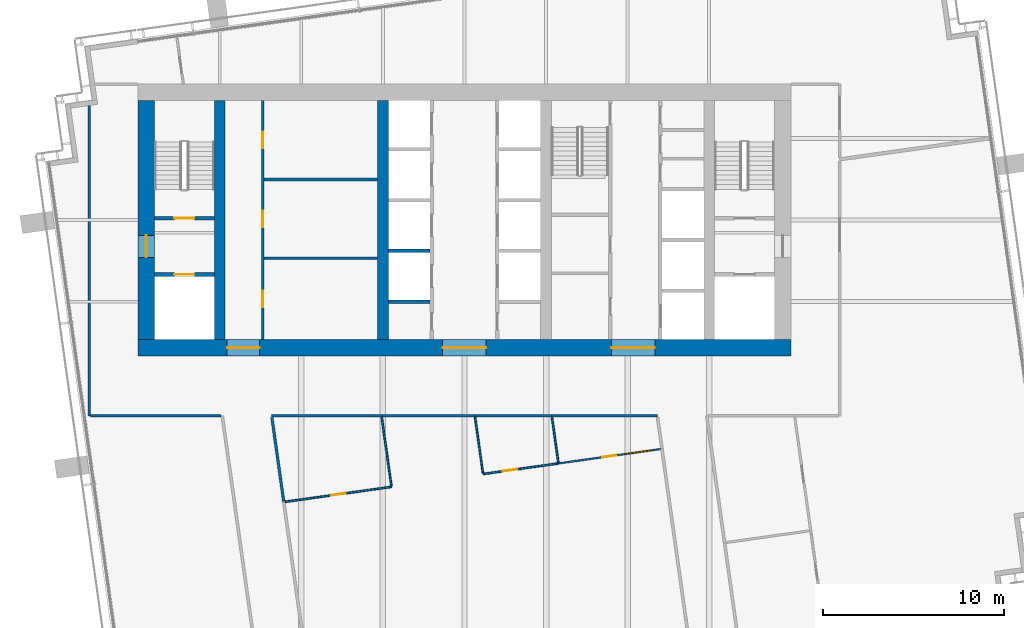
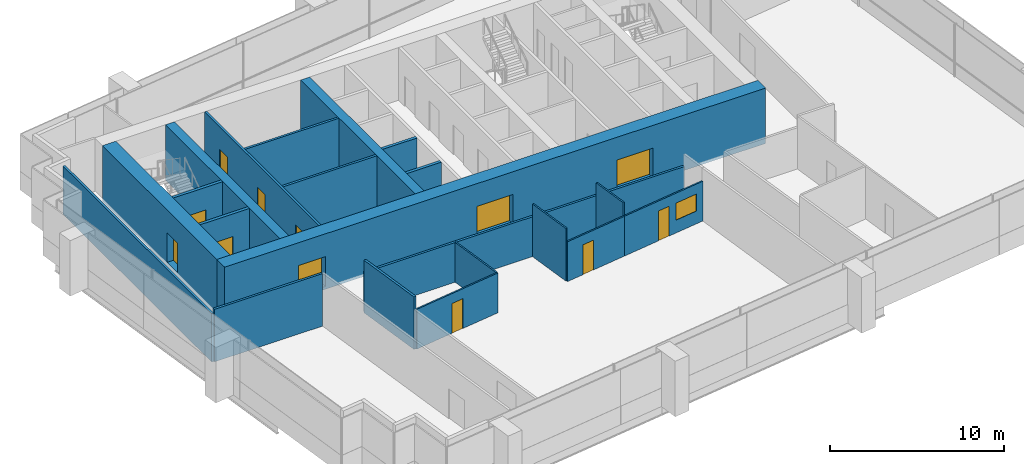
# One storey, part 9 of 17: 24 walls, 12 doors, 1 window, 13 openings.
"""IFC4 building model written with IfcOpenShell, lengths in metres."""

from ifc_helpers import new_model, si_unit, direction, frame, frame_2d, origin, place, context, subcontext, project, spatial, rectangle, extrude, material, layer, layer_set, type_object, element, fill, save


model = new_model("IFC4")

# Units and contexts
model_context = context("Model", 3, precision=1e-05, world=origin(), true_north=direction((0.0, 1.0)))
body_context = subcontext(model_context, "Body", "Model", "MODEL_VIEW")
ifc_project = project(units=[si_unit("LENGTHUNIT", "METRE"), si_unit("AREAUNIT", "SQUARE_METRE"), si_unit("VOLUMEUNIT", "CUBIC_METRE"), si_unit("PLANEANGLEUNIT", "RADIAN"), si_unit("MASSUNIT", "GRAM", prefix="KILO")], contexts=[model_context])

# Site, building, storey
site_placement = place(None, origin())
site = spatial("IfcSite", under=ifc_project, at=site_placement, CompositionType="ELEMENT")
building_placement = place(site_placement, origin())
building = spatial("IfcBuilding", under=site, at=building_placement, Name="Rattan Terrace Tower", CompositionType="ELEMENT")
storey_placement = place(building_placement, frame((0.0, 0.0, 221.300048828125)))
storey = spatial("IfcBuildingStorey", under=building, at=storey_placement, Name="L50", CompositionType="ELEMENT", Elevation=221.300048828125)

# Wall, openings, doors
ifc_material_1 = material(Name="Gypsum board partition")
ifc_layer_1 = layer(ifc_material_1, 0.14990234375)
ifc_layer_set_1 = layer_set([ifc_layer_1], Name="Core partition 150")
wall_type_1 = type_object("IfcWallType", Name="Core partition 150", PredefinedType="PARTITIONING", material=ifc_layer_set_1)
wall_1_placement = place(storey_placement, frame((-11.125, -6.60009765625, 0.0), z_axis=(0.0, 0.0, 1.0), x_axis=(0.0, 1.0, 0.0)))
wall_1 = element("IfcWall", 1, at=wall_1_placement, inside=storey, type_object=wall_type_1, Name="Core room wall", PredefinedType="PARTITIONING", context=body_context, shape_type="SweptSolid", body=[
    extrude(rectangle(XDim=13.2001953125, YDim=0.14990234375, at=frame_2d((6.60009765625, 0.0))), origin(), (0.0, 0.0, 1.0), 3.699951171875),
])
opening_1_placement = place(wall_1_placement, frame((1.7939453125, 0.0, 0.0)))
opening_1 = element("IfcOpeningElement", 2, at=opening_1_placement, cuts=wall_1, Name="Opening L50-D005", PredefinedType="OPENING", context=body_context, shape_type="SweptSolid", body=[
    extrude(rectangle(XDim=0.89990234375, YDim=2.10009765625, at=frame_2d((0.449951171875, 1.050048828125))), frame((0.0, 0.08544921875, 0.0), z_axis=(0.0, -1.0, 0.0), x_axis=(1.0, 0.0, 0.0)), (0.0, 0.0, 1.0), 0.1708984375),
])
opening_2_placement = place(wall_1_placement, frame((6.216064453125, 0.0, 0.0)))
opening_2 = element("IfcOpeningElement", 3, at=opening_2_placement, cuts=wall_1, Name="Opening L50-D006", PredefinedType="OPENING", context=body_context, shape_type="SweptSolid", body=[
    extrude(rectangle(XDim=0.89990234375, YDim=2.10009765625, at=frame_2d((0.449951171875, 1.050048828125))), frame((0.0, 0.08544921875, 0.0), z_axis=(0.0, -1.0, 0.0), x_axis=(1.0, 0.0, 0.0)), (0.0, 0.0, 1.0), 0.1708984375),
])
opening_3_placement = place(wall_1_placement, frame((10.572021484375, 0.0, 0.0)))
opening_3 = element("IfcOpeningElement", 4, at=opening_3_placement, cuts=wall_1, Name="Opening L50-D007", PredefinedType="OPENING", context=body_context, shape_type="SweptSolid", body=[
    extrude(rectangle(XDim=0.89990234375, YDim=2.10009765625, at=frame_2d((0.449951171875, 1.050048828125))), frame((0.0, 0.08544921875, 0.0), z_axis=(0.0, -1.0, 0.0), x_axis=(1.0, 0.0, 0.0)), (0.0, 0.0, 1.0), 0.1708984375),
])
ifc_material_2 = material(Name="Hollow-metal fire door leaf")
door_type_1 = type_object("IfcDoorType", Name="Core service room door 900", OperationType="NOTDEFINED", PredefinedType="DOOR", material=ifc_material_2)
door_1_placement = place(opening_1_placement, origin())
door_1 = element("IfcDoor", 5, at=door_1_placement, inside=storey, type_object=door_type_1, Name="Door L50-D005", OperationType="SINGLE_SWING_LEFT", OverallHeight=2.10009765625, OverallWidth=0.89990234375, PredefinedType="DOOR", context=body_context, shape_type="SweptSolid", body=[
    extrude(rectangle(XDim=0.89990234375, YDim=2.10009765625, at=frame_2d((0.449951171875, 1.050048828125))), frame((0.0, 0.02490234375, 0.0), z_axis=(0.0, -1.0, 0.0), x_axis=(1.0, 0.0, 0.0)), (0.0, 0.0, 1.0), 0.050048828125),
])
fill(opening_1, door_1)
door_2_placement = place(opening_2_placement, origin())
door_2 = element("IfcDoor", 6, at=door_2_placement, inside=storey, type_object=door_type_1, Name="Door L50-D006", OperationType="SINGLE_SWING_RIGHT", OverallHeight=2.10009765625, OverallWidth=0.89990234375, PredefinedType="DOOR", context=body_context, shape_type="SweptSolid", body=[
    extrude(rectangle(XDim=0.89990234375, YDim=2.10009765625, at=frame_2d((0.449951171875, 1.050048828125))), frame((0.0, 0.02490234375, 0.0), z_axis=(0.0, -1.0, 0.0), x_axis=(1.0, 0.0, 0.0)), (0.0, 0.0, 1.0), 0.050048828125),
])
fill(opening_2, door_2)
door_3_placement = place(opening_3_placement, origin())
door_3 = element("IfcDoor", 7, at=door_3_placement, inside=storey, type_object=door_type_1, Name="Door L50-D007", OperationType="SINGLE_SWING_LEFT", OverallHeight=2.10009765625, OverallWidth=0.89990234375, PredefinedType="DOOR", context=body_context, shape_type="SweptSolid", body=[
    extrude(rectangle(XDim=0.89990234375, YDim=2.10009765625, at=frame_2d((0.449951171875, 1.050048828125))), frame((0.0, 0.02490234375, 0.0), z_axis=(0.0, -1.0, 0.0), x_axis=(1.0, 0.0, 0.0)), (0.0, 0.0, 1.0), 0.050048828125),
])
fill(opening_3, door_3)

# Walls
for number, where, z_axis, x_axis, name in (
    (8, (-11.050048828125, -2.112060546875, 0.0), (0.0, 0.0, 1.0), (1.0, 0.0, 0.0), "Core room wall"),
    (9, (-11.050048828125, 2.243896484375, 0.0), (0.0, 0.0, 1.0), (1.0, 0.0, 0.0), "Core room wall"),
):
    element("IfcWall", number, at=place(storey_placement, frame(where, z_axis=z_axis, x_axis=x_axis)), inside=storey, type_object=wall_type_1, Name=name, PredefinedType="PARTITIONING", context=body_context, shape_type="SweptSolid", body=[
        extrude(rectangle(XDim=6.25, YDim=0.14990234375, at=frame_2d((3.125, 0.0))), origin(), (0.0, 0.0, 1.0), 3.699951171875),
    ])

# Wall, opening, door
ifc_material_3 = material(Name="Gypsum board partition")
ifc_layer_2 = layer(ifc_material_3, 0.199951171875)
ifc_layer_set_2 = layer_set([ifc_layer_2], Name="Core partition 200")
wall_type_2 = type_object("IfcWallType", Name="Core partition 200", PredefinedType="PARTITIONING", material=ifc_layer_set_2)
wall_2_placement = place(storey_placement, frame((-17.10009765625, -3.0, 0.0), z_axis=(0.0, 0.0, 1.0), x_axis=(1.0, 0.0, 0.0)))
wall_2 = element("IfcWall", 10, at=wall_2_placement, inside=storey, type_object=wall_type_2, Name="Fire-fighting lobby wall", PredefinedType="PARTITIONING", context=body_context, shape_type="SweptSolid", body=[
    extrude(rectangle(XDim=3.300048828125, YDim=0.199951171875, at=frame_2d((1.64990234375, 0.0))), origin(), (0.0, 0.0, 1.0), 3.699951171875),
])
opening_4_placement = place(wall_2_placement, frame((1.10009765625, 0.0, 0.0)))
opening_4 = element("IfcOpeningElement", 11, at=opening_4_placement, cuts=wall_2, Name="Opening L50-LD-FF1", PredefinedType="OPENING", context=body_context, shape_type="SweptSolid", body=[
    extrude(rectangle(XDim=1.10009765625, YDim=2.10009765625, at=frame_2d((0.550048828125, 1.050048828125))), frame((0.0, 0.110595703125, 0.0), z_axis=(0.0, -1.0, 0.0), x_axis=(1.0, 0.0, 0.0)), (0.0, 0.0, 1.0), 0.220947265625),
])
ifc_material_4 = material(Name="Brushed stainless landing door panel")
door_type_2 = type_object("IfcDoorType", Name="Core lift landing door 1100", OperationType="DOUBLE_DOOR_SLIDING", PredefinedType="DOOR", material=ifc_material_4)
door_4_placement = place(opening_4_placement, origin())
door_4 = element("IfcDoor", 12, at=door_4_placement, inside=storey, type_object=door_type_2, Name="Door L50-LD-FF1", OperationType="DOUBLE_DOOR_SLIDING", OverallHeight=2.10009765625, OverallWidth=1.10009765625, PredefinedType="DOOR", context=body_context, shape_type="SweptSolid", body=[
    extrude(rectangle(XDim=1.10009765625, YDim=2.10009765625, at=frame_2d((0.550048828125, 1.050048828125))), frame((0.0, 0.02490234375, 0.0), z_axis=(0.0, -1.0, 0.0), x_axis=(1.0, 0.0, 0.0)), (0.0, 0.0, 1.0), 0.050048828125),
])
fill(opening_4, door_4)

wall_3_placement = place(storey_placement, frame((-17.10009765625, 0.10009765625, 0.0), z_axis=(0.0, 0.0, 1.0), x_axis=(1.0, 0.0, 0.0)))
wall_3 = element("IfcWall", 13, at=wall_3_placement, inside=storey, type_object=wall_type_2, Name="Stair enclosure wall", PredefinedType="PARTITIONING", context=body_context, shape_type="SweptSolid", body=[
    extrude(rectangle(XDim=3.300048828125, YDim=0.199951171875, at=frame_2d((1.64990234375, 0.0))), origin(), (0.0, 0.0, 1.0), 3.699951171875),
])
opening_5_placement = place(wall_3_placement, frame((1.10009765625, 0.0, 0.0)))
opening_5 = element("IfcOpeningElement", 14, at=opening_5_placement, cuts=wall_3, Name="Opening L50-D002", PredefinedType="OPENING", context=body_context, shape_type="SweptSolid", body=[
    extrude(rectangle(XDim=1.10009765625, YDim=2.10009765625, at=frame_2d((0.550048828125, 1.050048828125))), frame((0.0, 0.110595703125, 0.0), z_axis=(0.0, -1.0, 0.0), x_axis=(1.0, 0.0, 0.0)), (0.0, 0.0, 1.0), 0.220947265625),
])
ifc_material_5 = material(Name="Hollow-metal fire door leaf")
door_type_3 = type_object("IfcDoorType", Name="Core stair door 1100", OperationType="NOTDEFINED", PredefinedType="DOOR", material=ifc_material_5)
door_5_placement = place(opening_5_placement, origin())
door_5 = element("IfcDoor", 15, at=door_5_placement, inside=storey, type_object=door_type_3, Name="Door L50-D002", OperationType="SINGLE_SWING_RIGHT", OverallHeight=2.10009765625, OverallWidth=1.10009765625, PredefinedType="DOOR", context=body_context, shape_type="SweptSolid", body=[
    extrude(rectangle(XDim=1.10009765625, YDim=2.10009765625, at=frame_2d((0.550048828125, 1.050048828125))), frame((0.0, 0.02490234375, 0.0), z_axis=(0.0, -1.0, 0.0), x_axis=(1.0, 0.0, 0.0)), (0.0, 0.0, 1.0), 0.050048828125),
])
fill(opening_5, door_5)

# Wall, openings, doors
ifc_material_6 = material(Name="Concrete C50/60", Category="concrete")
ifc_layer_3 = layer(ifc_material_6, 0.89990234375)
ifc_layer_set_3 = layer_set([ifc_layer_3], Name="Core ring wall 900 C50/60")
wall_type_3 = type_object("IfcWallType", Name="Core ring wall 900 C50/60", PredefinedType="SHEAR", material=ifc_layer_set_3)
wall_4_placement = place(storey_placement, frame((-18.0, -7.050048828125, -0.199951171875), z_axis=(0.0, 0.0, 1.0), x_axis=(1.0, 0.0, 0.0)))
wall_4 = element("IfcWall", 16, at=wall_4_placement, inside=storey, type_object=wall_type_3, Name="Rear core wall south", PredefinedType="SHEAR", context=body_context, shape_type="SweptSolid", body=[
    extrude(rectangle(XDim=36.0, YDim=0.89990234375, at=frame_2d((18.0, 0.0))), origin(), (0.0, 0.0, 1.0), 3.89990234375),
])
opening_6_placement = place(wall_4_placement, frame((4.89990234375, 0.0, 0.199951171875)))
opening_6 = element("IfcOpeningElement", 17, at=opening_6_placement, cuts=wall_4, Name="Opening L50-D008", PredefinedType="OPENING", context=body_context, shape_type="SweptSolid", body=[
    extrude(rectangle(XDim=1.800048828125, YDim=2.10009765625, at=frame_2d((0.89990234375, 1.050048828125))), frame((0.0, 0.46044921875, 0.0), z_axis=(0.0, -1.0, 0.0), x_axis=(1.0, 0.0, 0.0)), (0.0, 0.0, 1.0), 0.9208984375),
])
opening_7_placement = place(wall_4_placement, frame((16.800048828125, 0.0, 0.199951171875)))
opening_7 = element("IfcOpeningElement", 18, at=opening_7_placement, cuts=wall_4, Name="Opening L50-D011", PredefinedType="OPENING", context=body_context, shape_type="SweptSolid", body=[
    extrude(rectangle(XDim=2.39990234375, YDim=2.10009765625, at=frame_2d((1.199951171875, 1.050048828125))), frame((0.0, 0.46044921875, 0.0), z_axis=(0.0, -1.0, 0.0), x_axis=(1.0, 0.0, 0.0)), (0.0, 0.0, 1.0), 0.9208984375),
])
opening_8_placement = place(wall_4_placement, frame((26.10009765625, 0.0, 0.199951171875)))
opening_8 = element("IfcOpeningElement", 19, at=opening_8_placement, cuts=wall_4, Name="Opening L50-D015", PredefinedType="OPENING", context=body_context, shape_type="SweptSolid", body=[
    extrude(rectangle(XDim=2.39990234375, YDim=2.10009765625, at=frame_2d((1.199951171875, 1.050048828125))), frame((0.0, 0.46044921875, 0.0), z_axis=(0.0, -1.0, 0.0), x_axis=(1.0, 0.0, 0.0)), (0.0, 0.0, 1.0), 0.9208984375),
])
ifc_material_7 = material(Name="Hollow-metal fire door leaf")
door_type_4 = type_object("IfcDoorType", Name="Core lift lobby door 2400", OperationType="NOTDEFINED", PredefinedType="DOOR", material=ifc_material_7)
door_6_placement = place(opening_7_placement, origin())
door_6 = element("IfcDoor", 20, at=door_6_placement, inside=storey, type_object=door_type_4, Name="Door L50-D011", OperationType="DOUBLE_DOOR_DOUBLE_SWING", OverallHeight=2.10009765625, OverallWidth=2.39990234375, PredefinedType="DOOR", context=body_context, shape_type="SweptSolid", body=[
    extrude(rectangle(XDim=2.39990234375, YDim=2.10009765625, at=frame_2d((1.199951171875, 1.050048828125))), frame((0.0, 0.02490234375, 0.0), z_axis=(0.0, -1.0, 0.0), x_axis=(1.0, 0.0, 0.0)), (0.0, 0.0, 1.0), 0.050048828125),
])
fill(opening_7, door_6)
door_7_placement = place(opening_8_placement, origin())
door_7 = element("IfcDoor", 21, at=door_7_placement, inside=storey, type_object=door_type_4, Name="Door L50-D015", OperationType="DOUBLE_DOOR_DOUBLE_SWING", OverallHeight=2.10009765625, OverallWidth=2.39990234375, PredefinedType="DOOR", context=body_context, shape_type="SweptSolid", body=[
    extrude(rectangle(XDim=2.39990234375, YDim=2.10009765625, at=frame_2d((1.199951171875, 1.050048828125))), frame((0.0, 0.02490234375, 0.0), z_axis=(0.0, -1.0, 0.0), x_axis=(1.0, 0.0, 0.0)), (0.0, 0.0, 1.0), 0.050048828125),
])
fill(opening_8, door_7)
ifc_material_8 = material(Name="Hollow-metal fire door leaf")
door_type_5 = type_object("IfcDoorType", Name="Core service room door 1800", OperationType="NOTDEFINED", PredefinedType="DOOR", material=ifc_material_8)
door_8_placement = place(opening_6_placement, origin())
door_8 = element("IfcDoor", 22, at=door_8_placement, inside=storey, type_object=door_type_5, Name="Door L50-D008", OperationType="SINGLE_SWING_RIGHT", OverallHeight=2.10009765625, OverallWidth=1.800048828125, PredefinedType="DOOR", context=body_context, shape_type="SweptSolid", body=[
    extrude(rectangle(XDim=1.800048828125, YDim=2.10009765625, at=frame_2d((0.89990234375, 1.050048828125))), frame((0.0, 0.02490234375, 0.0), z_axis=(0.0, -1.0, 0.0), x_axis=(1.0, 0.0, 0.0)), (0.0, 0.0, 1.0), 0.050048828125),
])
fill(opening_6, door_8)

# Wall, opening, door
wall_5_placement = place(storey_placement, frame((-17.550048828125, -6.60009765625, -0.199951171875), z_axis=(0.0, 0.0, 1.0), x_axis=(0.0, 1.0, 0.0)))
wall_5 = element("IfcWall", 23, at=wall_5_placement, inside=storey, type_object=wall_type_3, Name="Rear core wall west", PredefinedType="SHEAR", context=body_context, shape_type="SweptSolid", body=[
    extrude(rectangle(XDim=13.2001953125, YDim=0.89990234375, at=frame_2d((6.60009765625, 0.0))), origin(), (0.0, 0.0, 1.0), 3.89990234375),
])
opening_9_placement = place(wall_5_placement, frame((4.550048828125, 0.0, 0.199951171875)))
opening_9 = element("IfcOpeningElement", 24, at=opening_9_placement, cuts=wall_5, Name="Opening L50-D001", PredefinedType="OPENING", context=body_context, shape_type="SweptSolid", body=[
    extrude(rectangle(XDim=1.199951171875, YDim=2.10009765625, at=frame_2d((0.60009765625, 1.050048828125))), frame((0.0, 0.46044921875, 0.0), z_axis=(0.0, -1.0, 0.0), x_axis=(1.0, 0.0, 0.0)), (0.0, 0.0, 1.0), 0.9208984375),
])
ifc_material_9 = material(Name="Hollow-metal fire door leaf")
door_type_6 = type_object("IfcDoorType", Name="Core fire-fighting lobby door 1200", OperationType="NOTDEFINED", PredefinedType="DOOR", material=ifc_material_9)
door_9_placement = place(opening_9_placement, origin())
door_9 = element("IfcDoor", 25, at=door_9_placement, inside=storey, type_object=door_type_6, Name="Door L50-D001", OperationType="SINGLE_SWING_LEFT", OverallHeight=2.10009765625, OverallWidth=1.199951171875, PredefinedType="DOOR", context=body_context, shape_type="SweptSolid", body=[
    extrude(rectangle(XDim=1.199951171875, YDim=2.10009765625, at=frame_2d((0.60009765625, 1.050048828125))), frame((0.0, 0.02490234375, 0.0), z_axis=(0.0, -1.0, 0.0), x_axis=(1.0, 0.0, 0.0)), (0.0, 0.0, 1.0), 0.050048828125),
])
fill(opening_9, door_9)

# Walls
ifc_material_10 = material(Name="Concrete C50/60", Category="concrete")
ifc_layer_4 = layer(ifc_material_10, 0.60009765625)
ifc_layer_set_4 = layer_set([ifc_layer_4], Name="Core spine wall 600 C50/60")
wall_type_4 = type_object("IfcWallType", Name="Core spine wall 600 C50/60", PredefinedType="SHEAR", material=ifc_layer_set_4)
for number, where, z_axis, x_axis, name in (
    (26, (-13.5, -6.60009765625, -0.199951171875), (0.0, 0.0, 1.0), (0.0, 1.0, 0.0), "Core spine wall 1"),
    (27, (-4.5, -6.60009765625, -0.199951171875), (0.0, 0.0, 1.0), (0.0, 1.0, 0.0), "Core spine wall 2"),
):
    element("IfcWall", number, at=place(storey_placement, frame(where, z_axis=z_axis, x_axis=x_axis)), inside=storey, type_object=wall_type_4, Name=name, PredefinedType="SHEAR", context=body_context, shape_type="SweptSolid", body=[
        extrude(rectangle(XDim=13.2001953125, YDim=0.60009765625, at=frame_2d((6.60009765625, 0.0))), origin(), (0.0, 0.0, 1.0), 3.89990234375),
    ])

# Wall, opening, door
ifc_material_11 = material(Name="Gypsum board partition on steel studs", Category="steel")
ifc_layer_5 = layer(ifc_material_11, 0.10009765625)
ifc_layer_set_5 = layer_set([ifc_layer_5], Name="Floors Partition 100")
wall_type_5 = type_object("IfcWallType", Name="Floors Partition 100", PredefinedType="PARTITIONING", material=ifc_layer_set_5)
wall_6_placement = place(storey_placement, frame((-9.89501953125, -15.54296875, 0.0), z_axis=(0.0, 0.0, 1.0), x_axis=(0.990265807236, 0.139189191458, 0.0)))
wall_6 = element("IfcWall", 28, at=wall_6_placement, inside=storey, type_object=wall_type_5, Name="pt-L50-025", PredefinedType="PARTITIONING", context=body_context, shape_type="SweptSolid", body=[
    extrude(rectangle(XDim=5.9267578125, YDim=0.10009765625, at=frame_2d((2.96337890625, 0.0))), origin(), (0.0, 0.0, 1.0), 2.800048828125),
])
opening_10_placement = place(wall_6_placement, frame((2.56298828125, 0.0, 0.0)))
opening_10 = element("IfcOpeningElement", 29, at=opening_10_placement, cuts=wall_6, Name="Opening L50-D107", PredefinedType="OPENING", context=body_context, shape_type="SweptSolid", body=[
    extrude(rectangle(XDim=0.800048828125, YDim=2.10009765625, at=frame_2d((0.39990234375, 1.050048828125))), frame((0.0, 0.060546875, 0.0), z_axis=(0.0, -1.0, 0.0), x_axis=(1.0, 0.0, 0.0)), (0.0, 0.0, 1.0), 0.12109375),
])
ifc_material_12 = material(Name="Solid core timber door, painted", Category="wood")
door_type_7 = type_object("IfcDoorType", Name="Floors Store Door 800x2100", OperationType="NOTDEFINED", PredefinedType="DOOR", material=ifc_material_12)
door_10_placement = place(opening_10_placement, origin())
door_10 = element("IfcDoor", 30, at=door_10_placement, inside=storey, type_object=door_type_7, Name="d-L50-107", OperationType="SINGLE_SWING_RIGHT", OverallHeight=2.10009765625, OverallWidth=0.800048828125, PredefinedType="DOOR", context=body_context, shape_type="SweptSolid", body=[
    extrude(rectangle(XDim=0.800048828125, YDim=2.10009765625, at=frame_2d((0.39990234375, 1.050048828125))), frame((0.0, 0.02490234375, 0.0), z_axis=(0.0, -1.0, 0.0), x_axis=(1.0, 0.0, 0.0)), (0.0, 0.0, 1.0), 0.050048828125),
])
fill(opening_10, door_10)

# Walls
wall_7_placement = place(storey_placement, frame((-4.032958984375, -14.66796875, 0.0), z_axis=(0.0, 0.0, 1.0), x_axis=(-0.139140777399, 0.990272610984, 0.0)))
element("IfcWall", 31, at=wall_7_placement, inside=storey, type_object=wall_type_5, Name="pt-L50-026", PredefinedType="PARTITIONING", context=body_context, shape_type="SweptSolid", body=[
    extrude(rectangle(XDim=3.83740234375, YDim=0.10009765625, at=frame_2d((1.918701171875, 0.0))), origin(), (0.0, 0.0, 1.0), 2.800048828125),
])
wall_8_placement = place(storey_placement, frame((0.58203125, -10.867919921875, 0.0), z_axis=(0.0, 0.0, 1.0), x_axis=(0.139416658497, -0.990233808418, 0.0)))
element("IfcWall", 32, at=wall_8_placement, inside=storey, type_object=wall_type_5, Name="pt-L50-027", PredefinedType="PARTITIONING", context=body_context, shape_type="SweptSolid", body=[
    extrude(rectangle(XDim=3.12060546875, YDim=0.10009765625, at=frame_2d((1.560302734375, 0.0))), origin(), (0.0, 0.0, 1.0), 3.699951171875),
])

# Wall, opening, door
wall_9_placement = place(storey_placement, frame((1.02392578125, -14.008056640625, 0.0), z_axis=(0.0, 0.0, 1.0), x_axis=(0.990290027482, 0.139016766864, 0.0)))
wall_9 = element("IfcWall", 33, at=wall_9_placement, inside=storey, type_object=wall_type_5, Name="pt-L50-028", PredefinedType="PARTITIONING", context=body_context, shape_type="SweptSolid", body=[
    extrude(rectangle(XDim=4.1796875, YDim=0.10009765625, at=frame_2d((2.08984375, 0.0))), origin(), (0.0, 0.0, 1.0), 2.800048828125),
])
opening_11_placement = place(wall_9_placement, frame((1.114013671875, 0.0, 0.0)))
opening_11 = element("IfcOpeningElement", 34, at=opening_11_placement, cuts=wall_9, Name="Opening L50-D108", PredefinedType="OPENING", context=body_context, shape_type="SweptSolid", body=[
    extrude(rectangle(XDim=0.800048828125, YDim=2.10009765625, at=frame_2d((0.39990234375, 1.050048828125))), frame((0.0, 0.060546875, 0.0), z_axis=(0.0, -1.0, 0.0), x_axis=(1.0, 0.0, 0.0)), (0.0, 0.0, 1.0), 0.12109375),
])
door_11_placement = place(opening_11_placement, origin())
door_11 = element("IfcDoor", 35, at=door_11_placement, inside=storey, type_object=door_type_7, Name="d-L50-108", OperationType="SINGLE_SWING_LEFT", OverallHeight=2.10009765625, OverallWidth=0.800048828125, PredefinedType="DOOR", context=body_context, shape_type="SweptSolid", body=[
    extrude(rectangle(XDim=0.800048828125, YDim=2.10009765625, at=frame_2d((0.39990234375, 1.050048828125))), frame((0.0, 0.02490234375, 0.0), z_axis=(0.0, -1.0, 0.0), x_axis=(1.0, 0.0, 0.0)), (0.0, 0.0, 1.0), 0.050048828125),
])
fill(opening_11, door_11)

# Wall, openings, door, window
wall_10_placement = place(storey_placement, frame((5.1630859375, -13.427001953125, 0.0), z_axis=(0.0, 0.0, 1.0), x_axis=(0.9902675357, 0.139176893695, 0.0)))
wall_10 = element("IfcWall", 36, at=wall_10_placement, inside=storey, type_object=wall_type_5, Name="pt-L50-029", PredefinedType="PARTITIONING", context=body_context, shape_type="SweptSolid", body=[
    extrude(rectangle(XDim=5.711669921875, YDim=0.10009765625, at=frame_2d((2.85595703125, 0.0))), origin(), (0.0, 0.0, 1.0), 2.800048828125),
])
opening_12_placement = place(wall_10_placement, frame((2.4560546875, 0.0, 0.0)))
opening_12 = element("IfcOpeningElement", 37, at=opening_12_placement, cuts=wall_10, Name="Opening L50-D109", PredefinedType="OPENING", context=body_context, shape_type="SweptSolid", body=[
    extrude(rectangle(XDim=0.800048828125, YDim=2.10009765625, at=frame_2d((0.39990234375, 1.050048828125))), frame((0.0, 0.060546875, 0.0), z_axis=(0.0, -1.0, 0.0), x_axis=(1.0, 0.0, 0.0)), (0.0, 0.0, 1.0), 0.12109375),
])
opening_13_placement = place(wall_10_placement, frame((3.73388671875, 0.0, 0.89990234375)))
opening_13 = element("IfcOpeningElement", 38, at=opening_13_placement, cuts=wall_10, Name="Opening L50-W100", PredefinedType="OPENING", context=body_context, shape_type="SweptSolid", body=[
    extrude(rectangle(XDim=1.5, YDim=1.199951171875, at=frame_2d((0.75, 0.60009765625))), frame((0.0, 0.060546875, 0.0), z_axis=(0.0, -1.0, 0.0), x_axis=(1.0, 0.0, 0.0)), (0.0, 0.0, 1.0), 0.12109375),
])
door_12_placement = place(opening_12_placement, origin())
door_12 = element("IfcDoor", 39, at=door_12_placement, inside=storey, type_object=door_type_7, Name="d-L50-109", OperationType="SINGLE_SWING_RIGHT", OverallHeight=2.10009765625, OverallWidth=0.800048828125, PredefinedType="DOOR", context=body_context, shape_type="SweptSolid", body=[
    extrude(rectangle(XDim=0.800048828125, YDim=2.10009765625, at=frame_2d((0.39990234375, 1.050048828125))), frame((0.0, 0.02490234375, 0.0), z_axis=(0.0, -1.0, 0.0), x_axis=(1.0, 0.0, 0.0)), (0.0, 0.0, 1.0), 0.050048828125),
])
fill(opening_12, door_12)
ifc_material_13 = material(Name="Glass, clear, fixed in aluminium frame", Category="aluminium")
window_type = type_object("IfcWindowType", Name="Interior Vision Window 1500x1200", PartitioningType="SINGLE_PANEL", PredefinedType="WINDOW", material=ifc_material_13)
window_placement = place(opening_13_placement, origin())
window = element("IfcWindow", 40, at=window_placement, inside=storey, type_object=window_type, Name="w-L50-100", OverallHeight=1.199951171875, OverallWidth=1.5, PartitioningType="SINGLE_PANEL", PredefinedType="WINDOW", context=body_context, shape_type="SweptSolid", body=[
    extrude(rectangle(XDim=1.5, YDim=1.199951171875, at=frame_2d((0.75, 0.60009765625))), frame((0.0, 0.030029296875, 0.0), z_axis=(0.0, -1.0, 0.0), x_axis=(1.0, 0.0, 0.0)), (0.0, 0.0, 1.0), 0.06005859375),
])
fill(opening_13, window)

# Walls
wall_11_placement = place(storey_placement, frame((4.823974609375, -10.867919921875, 0.0), z_axis=(0.0, 0.0, 1.0), x_axis=(0.139111451168, -0.990276731098, 0.0)))
element("IfcWall", 41, at=wall_11_placement, inside=storey, type_object=wall_type_5, Name="pt-L50-030", PredefinedType="PARTITIONING", context=body_context, shape_type="SweptSolid", body=[
    extrude(rectangle(XDim=2.53076171875, YDim=0.10009765625, at=frame_2d((1.265380859375, 0.0))), origin(), (0.0, 0.0, 1.0), 3.699951171875),
])
ifc_material_14 = material(Name="Gypsum board partition on steel studs, fire rated", Category="steel")
ifc_layer_6 = layer(ifc_material_14, 0.14990234375)
ifc_layer_set_6 = layer_set([ifc_layer_6], Name="Floors Tenancy Wall 150")
wall_type_6 = type_object("IfcWallType", Name="Floors Tenancy Wall 150", PredefinedType="PARTITIONING", material=ifc_layer_set_6)
wall_12_placement = place(storey_placement, frame((-20.699951171875, -10.800048828125, 0.0), z_axis=(0.0, 0.0, 1.0), x_axis=(0.0, 1.0, 0.0)))
element("IfcWall", 42, at=wall_12_placement, inside=storey, type_object=wall_type_6, Name="pt-L50-001", PredefinedType="PARTITIONING", context=body_context, shape_type="SweptSolid", body=[
    extrude(rectangle(XDim=17.156005859375, YDim=0.14990234375, at=frame_2d((8.578125, 0.0))), origin(), (0.0, 0.0, 1.0), 3.39990234375),
])
wall_13_placement = place(storey_placement, frame((-13.43701171875, -10.800048828125, 0.0), z_axis=(0.0, 0.0, 1.0), x_axis=(-1.0, 0.0, 0.0)))
element("IfcWall", 43, at=wall_13_placement, inside=storey, type_object=wall_type_6, Name="pt-L50-002", PredefinedType="PARTITIONING", context=body_context, shape_type="SweptSolid", body=[
    extrude(rectangle(XDim=7.18798828125, YDim=0.14990234375, at=frame_2d((3.593994140625, 0.0))), origin(), (0.0, 0.0, 1.0), 3.699951171875),
])
wall_14_placement = place(storey_placement, frame((0.593017578125, -10.800048828125, 0.0), z_axis=(0.0, 0.0, 1.0), x_axis=(-1.0, 0.0, 0.0)))
element("IfcWall", 44, at=wall_14_placement, inside=storey, type_object=wall_type_6, Name="pt-L50-013", PredefinedType="PARTITIONING", context=body_context, shape_type="SweptSolid", body=[
    extrude(rectangle(XDim=5.14990234375, YDim=0.14990234375, at=frame_2d((2.574951171875, 0.0))), origin(), (0.0, 0.0, 1.0), 2.800048828125),
])
wall_15_placement = place(storey_placement, frame((-10.625, -10.885009765625, 0.0), z_axis=(0.0, 0.0, 1.0), x_axis=(0.139112996275, -0.990276514044, 0.0)))
element("IfcWall", 45, at=wall_15_placement, inside=storey, type_object=wall_type_6, Name="pt-L50-015", PredefinedType="PARTITIONING", context=body_context, shape_type="SweptSolid", body=[
    extrude(rectangle(XDim=4.694580078125, YDim=0.14990234375, at=frame_2d((2.34716796875, 0.0))), origin(), (0.0, 0.0, 1.0), 3.699951171875),
])
wall_16_placement = place(storey_placement, frame((-4.556884765625, -10.800048828125, 0.0), z_axis=(0.0, 0.0, 1.0), x_axis=(-1.0, 0.0, 0.0)))
element("IfcWall", 46, at=wall_16_placement, inside=storey, type_object=wall_type_6, Name="pt-L50-016", PredefinedType="PARTITIONING", context=body_context, shape_type="SweptSolid", body=[
    extrude(rectangle(XDim=6.080078125, YDim=0.14990234375, at=frame_2d((3.0400390625, 0.0))), origin(), (0.0, 0.0, 1.0), 2.800048828125),
])
wall_17_placement = place(storey_placement, frame((4.7939453125, -10.800048828125, 0.0), z_axis=(0.0, 0.0, 1.0), x_axis=(-1.0, 0.0, 0.0)))
element("IfcWall", 47, at=wall_17_placement, inside=storey, type_object=wall_type_6, Name="pt-L50-017", PredefinedType="PARTITIONING", context=body_context, shape_type="SweptSolid", body=[
    extrude(rectangle(XDim=4.200927734375, YDim=0.14990234375, at=frame_2d((2.1005859375, 0.0))), origin(), (0.0, 0.0, 1.0), 2.800048828125),
])
wall_18_placement = place(storey_placement, frame((10.636962890625, -10.800048828125, 0.0), z_axis=(0.0, 0.0, 1.0), x_axis=(-1.0, 0.0, 0.0)))
element("IfcWall", 48, at=wall_18_placement, inside=storey, type_object=wall_type_6, Name="pt-L50-018", PredefinedType="PARTITIONING", context=body_context, shape_type="SweptSolid", body=[
    extrude(rectangle(XDim=5.843017578125, YDim=0.14990234375, at=frame_2d((2.92138671875, 0.0))), origin(), (0.0, 0.0, 1.0), 2.800048828125),
])
ifc_material_15 = material(Name="Gypsum shaft wall system")
ifc_layer_7 = layer(ifc_material_15, 0.199951171875)
ifc_layer_set_7 = layer_set([ifc_layer_7], Name="Lift shaft wall 200")
wall_type_7 = type_object("IfcWallType", Name="Lift shaft wall 200", PredefinedType="PARTITIONING", material=ifc_layer_set_7)
for number, where, z_axis, x_axis, name in (
    (49, (-4.199951171875, -1.699951171875, 0.0), (0.0, 0.0, 1.0), (1.0, 0.0, 0.0), "Lift shaft wall"),
    (50, (-4.199951171875, -4.5, 0.0), (0.0, 0.0, 1.0), (1.0, 0.0, 0.0), "Lift shaft wall"),
):
    element("IfcWall", number, at=place(storey_placement, frame(where, z_axis=z_axis, x_axis=x_axis)), inside=storey, type_object=wall_type_7, Name=name, PredefinedType="PARTITIONING", context=body_context, shape_type="SweptSolid", body=[
        extrude(rectangle(XDim=2.300048828125, YDim=0.199951171875, at=frame_2d((1.14990234375, 0.0))), origin(), (0.0, 0.0, 1.0), 3.699951171875),
    ])

save(model, "model.ifc")
